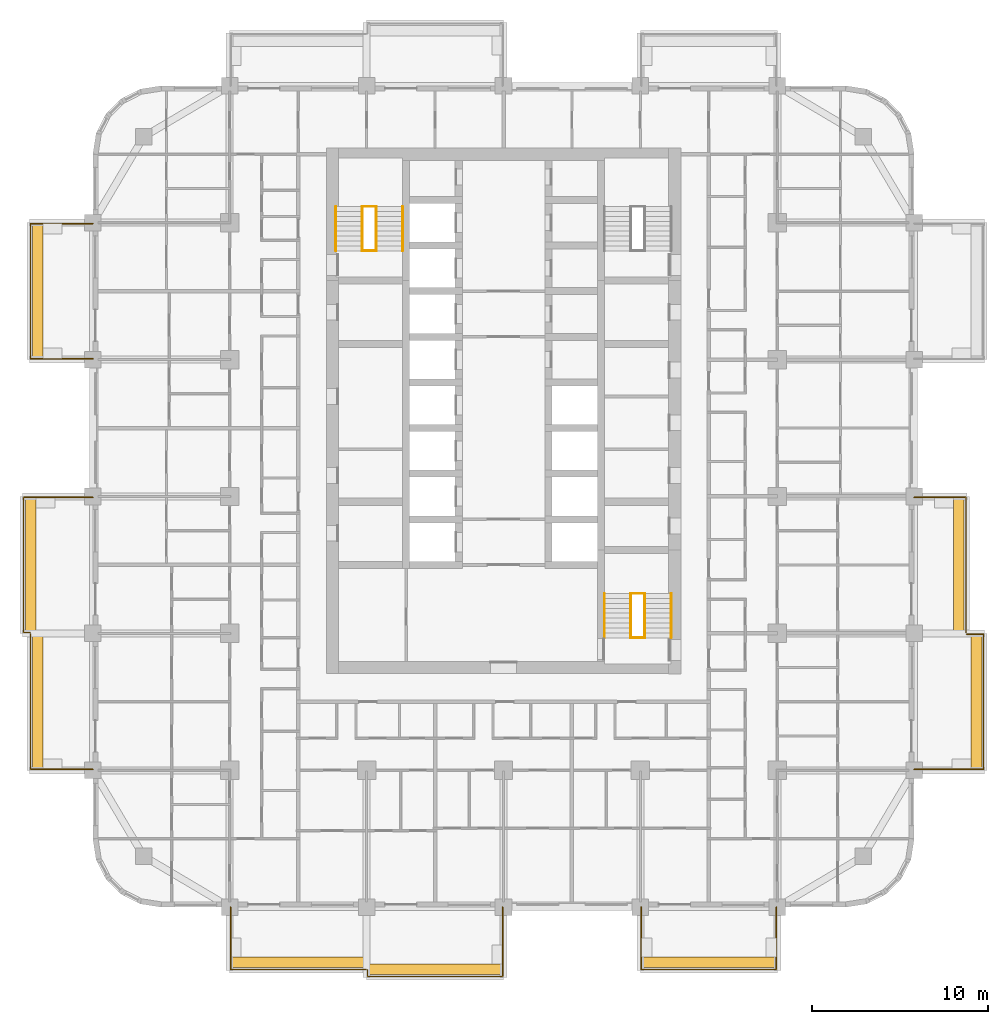
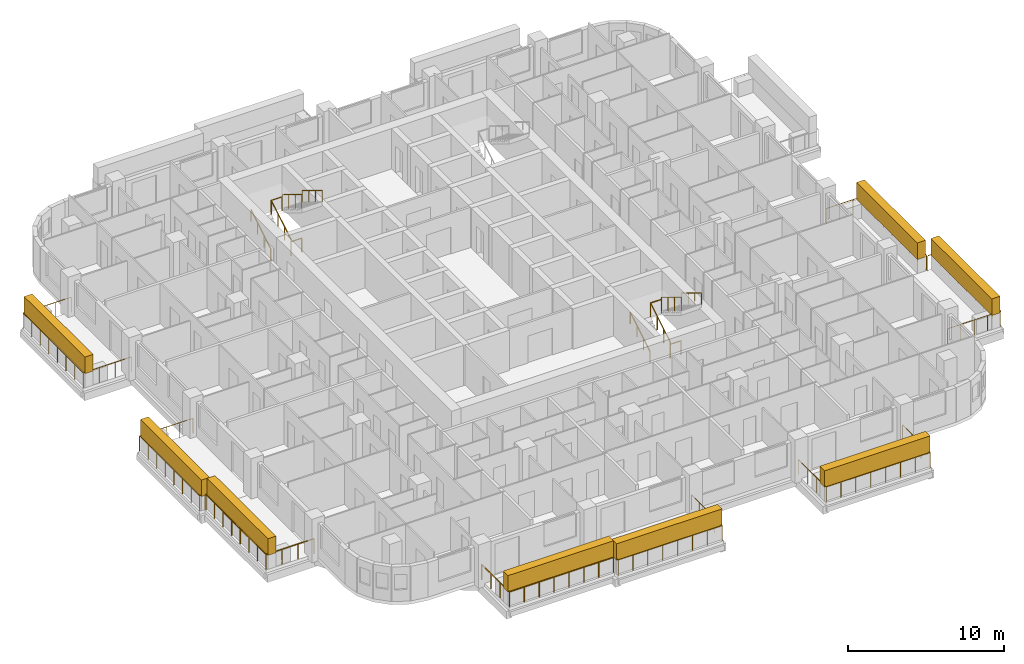
# One storey, part 17 of 18: 20 railings, 8 coverings, 2 elements without a shape of their own.
"""IFC4 building model written with IfcOpenShell, lengths in metres."""

from ifc_helpers import new_model, si_unit, direction, frame, origin, origin_2d, place, context, subcontext, project, spatial, rectangle, circle, extrude, material, layer, layer_set, type_object, element, aggregate, save


model = new_model("IFC4")

# Units and contexts
model_context = context("Model", 3, precision=1e-05, world=origin(), true_north=direction((0.0, 1.0)))
body_context = subcontext(model_context, "Body", "Model", "MODEL_VIEW")
ifc_project = project(units=[si_unit("LENGTHUNIT", "METRE"), si_unit("AREAUNIT", "SQUARE_METRE"), si_unit("VOLUMEUNIT", "CUBIC_METRE"), si_unit("PLANEANGLEUNIT", "RADIAN"), si_unit("MASSUNIT", "GRAM", prefix="KILO")], contexts=[model_context])

# Site, building, storey
site_placement = place(None, origin())
site = spatial("IfcSite", under=ifc_project, at=site_placement, CompositionType="ELEMENT")
building_placement = place(site_placement, origin())
building = spatial("IfcBuilding", under=site, at=building_placement, Name="Ludao Terraces", CompositionType="ELEMENT")
storey_placement = place(building_placement, frame((0.0, 0.0, 64.800048828125)))
storey = spatial("IfcBuildingStorey", under=building, at=storey_placement, Name="L17", CompositionType="ELEMENT", Elevation=64.800048828125)

# Railings
ifc_material_1 = material(Name="Stainless steel 304", Category="steel")
railing_type_1 = type_object("IfcRailingType", Name="ENV Balcony glass guard 1200", PredefinedType="GUARDRAIL", material=ifc_material_1)
railing_1_placement = place(storey_placement, frame((69.449951171875, 41.60009765625, 0.0)))
element("IfcRailing", 1, at=railing_1_placement, inside=storey, type_object=railing_type_1, Name="Balcony guard L17 S1", PredefinedType="GUARDRAIL", context=body_context, shape_type="SweptSolid", body=[
    extrude(circle(Radius=0.02392578125, at=origin_2d()), frame((0.0, 0.0, 1.17578125), z_axis=(0.0, -1.0, 0.0), x_axis=(1.0, 0.0, 0.0)), (0.0, 0.0, 1.0), 3.550048828125),
    extrude(circle(Radius=0.02392578125, at=origin_2d()), frame((0.0, -3.550048828125, 1.17578125), z_axis=(1.0, 0.0, 0.0), x_axis=(0.0, 1.0, 0.0)), (0.0, 0.0, 1.0), 7.699951171875),
    extrude(circle(Radius=0.02099609375, at=origin_2d()), origin(), (0.0, 0.0, 1.0), 1.15185546875),
    extrude(circle(Radius=0.02099609375, at=origin_2d()), frame((0.0, -1.183349609375, 0.0)), (0.0, 0.0, 1.0), 1.15185546875),
    extrude(circle(Radius=0.02099609375, at=origin_2d()), frame((0.0, -2.36669921875, 0.0)), (0.0, 0.0, 1.0), 1.15185546875),
    extrude(circle(Radius=0.02099609375, at=origin_2d()), frame((0.0, -3.550048828125, 0.0)), (0.0, 0.0, 1.0), 1.15185546875),
    extrude(circle(Radius=0.02099609375, at=origin_2d()), frame((1.10009765625, -3.550048828125, 0.0)), (0.0, 0.0, 1.0), 1.15185546875),
    extrude(circle(Radius=0.02099609375, at=origin_2d()), frame((2.199951171875, -3.550048828125, 0.0)), (0.0, 0.0, 1.0), 1.15185546875),
    extrude(circle(Radius=0.02099609375, at=origin_2d()), frame((3.300048828125, -3.550048828125, 0.0)), (0.0, 0.0, 1.0), 1.15185546875),
    extrude(circle(Radius=0.02099609375, at=origin_2d()), frame((4.39990234375, -3.550048828125, 0.0)), (0.0, 0.0, 1.0), 1.15185546875),
    extrude(circle(Radius=0.02099609375, at=origin_2d()), frame((5.5, -3.550048828125, 0.0)), (0.0, 0.0, 1.0), 1.15185546875),
    extrude(circle(Radius=0.02099609375, at=origin_2d()), frame((6.599853515625, -3.550048828125, 0.0)), (0.0, 0.0, 1.0), 1.15185546875),
    extrude(circle(Radius=0.02099609375, at=origin_2d()), frame((7.699951171875, -3.550048828125, 0.0)), (0.0, 0.0, 1.0), 1.15185546875),
])
railing_2_placement = place(storey_placement, frame((77.25, 38.0, 0.0)))
element("IfcRailing", 2, at=railing_2_placement, inside=storey, type_object=railing_type_1, Name="Balcony guard L17 S2", PredefinedType="GUARDRAIL", context=body_context, shape_type="SweptSolid", body=[
    extrude(circle(Radius=0.02392578125, at=origin_2d()), frame((0.0, 0.0, 1.17578125), z_axis=(0.0, -1.0, 0.0), x_axis=(1.0, 0.0, 0.0)), (0.0, 0.0, 1.0), 0.35009765625),
    extrude(circle(Radius=0.02392578125, at=origin_2d()), frame((0.0, -0.35009765625, 1.17578125), z_axis=(1.0, 0.0, 0.0), x_axis=(0.0, 1.0, 0.0)), (0.0, 0.0, 1.0), 7.699951171875),
    extrude(circle(Radius=0.02392578125, at=origin_2d()), frame((7.699951171875, -0.35009765625, 1.17578125), z_axis=(0.0, 1.0, 0.0), x_axis=(-1.0, 0.0, 0.0)), (0.0, 0.0, 1.0), 3.9501953125),
    extrude(circle(Radius=0.02099609375, at=origin_2d()), origin(), (0.0, 0.0, 1.0), 1.15185546875),
    extrude(circle(Radius=0.02099609375, at=origin_2d()), frame((0.0, -0.35009765625, 0.0)), (0.0, 0.0, 1.0), 1.15185546875),
    extrude(circle(Radius=0.02099609375, at=origin_2d()), frame((1.10009765625, -0.35009765625, 0.0)), (0.0, 0.0, 1.0), 1.15185546875),
    extrude(circle(Radius=0.02099609375, at=origin_2d()), frame((2.199951171875, -0.35009765625, 0.0)), (0.0, 0.0, 1.0), 1.15185546875),
    extrude(circle(Radius=0.02099609375, at=origin_2d()), frame((3.300048828125, -0.35009765625, 0.0)), (0.0, 0.0, 1.0), 1.15185546875),
    extrude(circle(Radius=0.02099609375, at=origin_2d()), frame((4.39990234375, -0.35009765625, 0.0)), (0.0, 0.0, 1.0), 1.15185546875),
    extrude(circle(Radius=0.02099609375, at=origin_2d()), frame((5.5, -0.35009765625, 0.0)), (0.0, 0.0, 1.0), 1.15185546875),
    extrude(circle(Radius=0.02099609375, at=origin_2d()), frame((6.599853515625, -0.35009765625, 0.0)), (0.0, 0.0, 1.0), 1.15185546875),
    extrude(circle(Radius=0.02099609375, at=origin_2d()), frame((7.699951171875, -0.35009765625, 0.0)), (0.0, 0.0, 1.0), 1.15185546875),
    extrude(circle(Radius=0.02099609375, at=origin_2d()), frame((7.699951171875, 0.637451171875, 0.0)), (0.0, 0.0, 1.0), 1.15185546875),
    extrude(circle(Radius=0.02099609375, at=origin_2d()), frame((7.699951171875, 1.625, 0.0)), (0.0, 0.0, 1.0), 1.15185546875),
    extrude(circle(Radius=0.02099609375, at=origin_2d()), frame((7.699951171875, 2.612548828125, 0.0)), (0.0, 0.0, 1.0), 1.15185546875),
    extrude(circle(Radius=0.02099609375, at=origin_2d()), frame((7.699951171875, 3.60009765625, 0.0)), (0.0, 0.0, 1.0), 1.15185546875),
])
railing_3_placement = place(storey_placement, frame((92.85009765625, 41.60009765625, 0.0)))
element("IfcRailing", 3, at=railing_3_placement, inside=storey, type_object=railing_type_1, Name="Balcony guard L17 S4", PredefinedType="GUARDRAIL", context=body_context, shape_type="SweptSolid", body=[
    extrude(circle(Radius=0.02392578125, at=origin_2d()), frame((0.0, 0.0, 1.17578125), z_axis=(0.0, -1.0, 0.0), x_axis=(1.0, 0.0, 0.0)), (0.0, 0.0, 1.0), 3.550048828125),
    extrude(circle(Radius=0.02392578125, at=origin_2d()), frame((0.0, -3.550048828125, 1.17578125), z_axis=(1.0, 0.0, 0.0), x_axis=(0.0, 1.0, 0.0)), (0.0, 0.0, 1.0), 7.699951171875),
    extrude(circle(Radius=0.02392578125, at=origin_2d()), frame((7.699951171875, -3.550048828125, 1.17578125), z_axis=(0.0, 1.0, 0.0), x_axis=(-1.0, 0.0, 0.0)), (0.0, 0.0, 1.0), 3.550048828125),
    extrude(circle(Radius=0.02099609375, at=origin_2d()), origin(), (0.0, 0.0, 1.0), 1.15185546875),
    extrude(circle(Radius=0.02099609375, at=origin_2d()), frame((0.0, -1.183349609375, 0.0)), (0.0, 0.0, 1.0), 1.15185546875),
    extrude(circle(Radius=0.02099609375, at=origin_2d()), frame((0.0, -2.36669921875, 0.0)), (0.0, 0.0, 1.0), 1.15185546875),
    extrude(circle(Radius=0.02099609375, at=origin_2d()), frame((0.0, -3.550048828125, 0.0)), (0.0, 0.0, 1.0), 1.15185546875),
    extrude(circle(Radius=0.02099609375, at=origin_2d()), frame((1.10009765625, -3.550048828125, 0.0)), (0.0, 0.0, 1.0), 1.15185546875),
    extrude(circle(Radius=0.02099609375, at=origin_2d()), frame((2.199951171875, -3.550048828125, 0.0)), (0.0, 0.0, 1.0), 1.15185546875),
    extrude(circle(Radius=0.02099609375, at=origin_2d()), frame((3.300048828125, -3.550048828125, 0.0)), (0.0, 0.0, 1.0), 1.15185546875),
    extrude(circle(Radius=0.02099609375, at=origin_2d()), frame((4.39990234375, -3.550048828125, 0.0)), (0.0, 0.0, 1.0), 1.15185546875),
    extrude(circle(Radius=0.02099609375, at=origin_2d()), frame((5.5, -3.550048828125, 0.0)), (0.0, 0.0, 1.0), 1.15185546875),
    extrude(circle(Radius=0.02099609375, at=origin_2d()), frame((6.599853515625, -3.550048828125, 0.0)), (0.0, 0.0, 1.0), 1.15185546875),
    extrude(circle(Radius=0.02099609375, at=origin_2d()), frame((7.699951171875, -3.550048828125, 0.0)), (0.0, 0.0, 1.0), 1.15185546875),
    extrude(circle(Radius=0.02099609375, at=origin_2d()), frame((7.699951171875, -2.36669921875, 0.0)), (0.0, 0.0, 1.0), 1.15185546875),
    extrude(circle(Radius=0.02099609375, at=origin_2d()), frame((7.699951171875, -1.183349609375, 0.0)), (0.0, 0.0, 1.0), 1.15185546875),
    extrude(circle(Radius=0.02099609375, at=origin_2d()), frame((7.699951171875, 0.0, 0.0)), (0.0, 0.0, 1.0), 1.15185546875),
])
railing_4_placement = place(storey_placement, frame((108.39990234375, 49.449951171875, 0.0)))
element("IfcRailing", 4, at=railing_4_placement, inside=storey, type_object=railing_type_1, Name="Balcony guard L17 E1", PredefinedType="GUARDRAIL", context=body_context, shape_type="SweptSolid", body=[
    extrude(circle(Radius=0.02392578125, at=origin_2d()), frame((0.0, 0.0, 1.17578125), z_axis=(1.0, 0.0, 0.0), x_axis=(0.0, 1.0, 0.0)), (0.0, 0.0, 1.0), 3.9501953125),
    extrude(circle(Radius=0.02392578125, at=origin_2d()), frame((3.9501953125, 0.0, 1.17578125), z_axis=(0.0, 1.0, 0.0), x_axis=(-1.0, 0.0, 0.0)), (0.0, 0.0, 1.0), 7.699951171875),
    extrude(circle(Radius=0.02392578125, at=origin_2d()), frame((3.9501953125, 7.699951171875, 1.17578125), z_axis=(-1.0, 0.0, 0.0), x_axis=(0.0, -1.0, 0.0)), (0.0, 0.0, 1.0), 0.9501953125),
    extrude(circle(Radius=0.02099609375, at=origin_2d()), origin(), (0.0, 0.0, 1.0), 1.15185546875),
    extrude(circle(Radius=0.02099609375, at=origin_2d()), frame((0.987548828125, 0.0, 0.0)), (0.0, 0.0, 1.0), 1.15185546875),
    extrude(circle(Radius=0.02099609375, at=origin_2d()), frame((1.97509765625, 0.0, 0.0)), (0.0, 0.0, 1.0), 1.15185546875),
    extrude(circle(Radius=0.02099609375, at=origin_2d()), frame((2.962646484375, 0.0, 0.0)), (0.0, 0.0, 1.0), 1.15185546875),
    extrude(circle(Radius=0.02099609375, at=origin_2d()), frame((3.9501953125, 0.0, 0.0)), (0.0, 0.0, 1.0), 1.15185546875),
    extrude(circle(Radius=0.02099609375, at=origin_2d()), frame((3.9501953125, 1.10009765625, 0.0)), (0.0, 0.0, 1.0), 1.15185546875),
    extrude(circle(Radius=0.02099609375, at=origin_2d()), frame((3.9501953125, 2.199951171875, 0.0)), (0.0, 0.0, 1.0), 1.15185546875),
    extrude(circle(Radius=0.02099609375, at=origin_2d()), frame((3.9501953125, 3.300048828125, 0.0)), (0.0, 0.0, 1.0), 1.15185546875),
    extrude(circle(Radius=0.02099609375, at=origin_2d()), frame((3.9501953125, 4.39990234375, 0.0)), (0.0, 0.0, 1.0), 1.15185546875),
    extrude(circle(Radius=0.02099609375, at=origin_2d()), frame((3.9501953125, 5.5, 0.0)), (0.0, 0.0, 1.0), 1.15185546875),
    extrude(circle(Radius=0.02099609375, at=origin_2d()), frame((3.9501953125, 6.599853515625, 0.0)), (0.0, 0.0, 1.0), 1.15185546875),
    extrude(circle(Radius=0.02099609375, at=origin_2d()), frame((3.9501953125, 7.699951171875, 0.0)), (0.0, 0.0, 1.0), 1.15185546875),
    extrude(circle(Radius=0.02099609375, at=origin_2d()), frame((3.0, 7.699951171875, 0.0)), (0.0, 0.0, 1.0), 1.15185546875),
])
railing_5_placement = place(storey_placement, frame((111.35009765625, 57.25, 0.0)))
element("IfcRailing", 5, at=railing_5_placement, inside=storey, type_object=railing_type_1, Name="Balcony guard L17 E2", PredefinedType="GUARDRAIL", context=body_context, shape_type="SweptSolid", body=[
    extrude(circle(Radius=0.02392578125, at=origin_2d()), frame((0.0, 0.0, 1.17578125), z_axis=(0.0, 1.0, 0.0), x_axis=(-1.0, 0.0, 0.0)), (0.0, 0.0, 1.0), 7.699951171875),
    extrude(circle(Radius=0.02392578125, at=origin_2d()), frame((0.0, 7.699951171875, 1.17578125), z_axis=(-1.0, 0.0, 0.0), x_axis=(0.0, -1.0, 0.0)), (0.0, 0.0, 1.0), 2.9501953125),
    extrude(circle(Radius=0.02099609375, at=origin_2d()), origin(), (0.0, 0.0, 1.0), 1.15185546875),
    extrude(circle(Radius=0.02099609375, at=origin_2d()), frame((0.0, 1.10009765625, 0.0)), (0.0, 0.0, 1.0), 1.15185546875),
    extrude(circle(Radius=0.02099609375, at=origin_2d()), frame((0.0, 2.199951171875, 0.0)), (0.0, 0.0, 1.0), 1.15185546875),
    extrude(circle(Radius=0.02099609375, at=origin_2d()), frame((0.0, 3.300048828125, 0.0)), (0.0, 0.0, 1.0), 1.15185546875),
    extrude(circle(Radius=0.02099609375, at=origin_2d()), frame((0.0, 4.39990234375, 0.0)), (0.0, 0.0, 1.0), 1.15185546875),
    extrude(circle(Radius=0.02099609375, at=origin_2d()), frame((0.0, 5.5, 0.0)), (0.0, 0.0, 1.0), 1.15185546875),
    extrude(circle(Radius=0.02099609375, at=origin_2d()), frame((0.0, 6.599853515625, 0.0)), (0.0, 0.0, 1.0), 1.15185546875),
    extrude(circle(Radius=0.02099609375, at=origin_2d()), frame((0.0, 7.699951171875, 0.0)), (0.0, 0.0, 1.0), 1.15185546875),
    extrude(circle(Radius=0.02099609375, at=origin_2d()), frame((-0.9833984375, 7.699951171875, 0.0)), (0.0, 0.0, 1.0), 1.15185546875),
    extrude(circle(Radius=0.02099609375, at=origin_2d()), frame((-1.966796875, 7.699951171875, 0.0)), (0.0, 0.0, 1.0), 1.15185546875),
    extrude(circle(Radius=0.02099609375, at=origin_2d()), frame((-2.9501953125, 7.699951171875, 0.0)), (0.0, 0.0, 1.0), 1.15185546875),
])
railing_6_placement = place(storey_placement, frame((61.60009765625, 49.449951171875, 0.0)))
element("IfcRailing", 6, at=railing_6_placement, inside=storey, type_object=railing_type_1, Name="Balcony guard L17 W1", PredefinedType="GUARDRAIL", context=body_context, shape_type="SweptSolid", body=[
    extrude(circle(Radius=0.02392578125, at=origin_2d()), frame((0.0, 0.0, 1.17578125), z_axis=(-1.0, 0.0, 0.0), x_axis=(0.0, -1.0, 0.0)), (0.0, 0.0, 1.0), 3.550048828125),
    extrude(circle(Radius=0.02392578125, at=origin_2d()), frame((-3.550048828125, 0.0, 1.17578125), z_axis=(0.0, 1.0, 0.0), x_axis=(-1.0, 0.0, 0.0)), (0.0, 0.0, 1.0), 7.699951171875),
    extrude(circle(Radius=0.02099609375, at=origin_2d()), origin(), (0.0, 0.0, 1.0), 1.15185546875),
    extrude(circle(Radius=0.02099609375, at=origin_2d()), frame((-1.183349609375, 0.0, 0.0)), (0.0, 0.0, 1.0), 1.15185546875),
    extrude(circle(Radius=0.02099609375, at=origin_2d()), frame((-2.36669921875, 0.0, 0.0)), (0.0, 0.0, 1.0), 1.15185546875),
    extrude(circle(Radius=0.02099609375, at=origin_2d()), frame((-3.550048828125, 0.0, 0.0)), (0.0, 0.0, 1.0), 1.15185546875),
    extrude(circle(Radius=0.02099609375, at=origin_2d()), frame((-3.550048828125, 1.10009765625, 0.0)), (0.0, 0.0, 1.0), 1.15185546875),
    extrude(circle(Radius=0.02099609375, at=origin_2d()), frame((-3.550048828125, 2.199951171875, 0.0)), (0.0, 0.0, 1.0), 1.15185546875),
    extrude(circle(Radius=0.02099609375, at=origin_2d()), frame((-3.550048828125, 3.300048828125, 0.0)), (0.0, 0.0, 1.0), 1.15185546875),
    extrude(circle(Radius=0.02099609375, at=origin_2d()), frame((-3.550048828125, 4.39990234375, 0.0)), (0.0, 0.0, 1.0), 1.15185546875),
    extrude(circle(Radius=0.02099609375, at=origin_2d()), frame((-3.550048828125, 5.5, 0.0)), (0.0, 0.0, 1.0), 1.15185546875),
    extrude(circle(Radius=0.02099609375, at=origin_2d()), frame((-3.550048828125, 6.599853515625, 0.0)), (0.0, 0.0, 1.0), 1.15185546875),
    extrude(circle(Radius=0.02099609375, at=origin_2d()), frame((-3.550048828125, 7.699951171875, 0.0)), (0.0, 0.0, 1.0), 1.15185546875),
])
railing_7_placement = place(storey_placement, frame((58.0, 57.25, 0.0)))
element("IfcRailing", 7, at=railing_7_placement, inside=storey, type_object=railing_type_1, Name="Balcony guard L17 W2", PredefinedType="GUARDRAIL", context=body_context, shape_type="SweptSolid", body=[
    extrude(circle(Radius=0.02392578125, at=origin_2d()), frame((0.0, 0.0, 1.17578125), z_axis=(-1.0, 0.0, 0.0), x_axis=(0.0, -1.0, 0.0)), (0.0, 0.0, 1.0), 0.35009765625),
    extrude(circle(Radius=0.02392578125, at=origin_2d()), frame((-0.35009765625, 0.0, 1.17578125), z_axis=(0.0, 1.0, 0.0), x_axis=(-1.0, 0.0, 0.0)), (0.0, 0.0, 1.0), 7.699951171875),
    extrude(circle(Radius=0.02392578125, at=origin_2d()), frame((-0.35009765625, 7.699951171875, 1.17578125), z_axis=(1.0, 0.0, 0.0), x_axis=(0.0, 1.0, 0.0)), (0.0, 0.0, 1.0), 3.9501953125),
    extrude(circle(Radius=0.02099609375, at=origin_2d()), origin(), (0.0, 0.0, 1.0), 1.15185546875),
    extrude(circle(Radius=0.02099609375, at=origin_2d()), frame((-0.35009765625, 0.0, 0.0)), (0.0, 0.0, 1.0), 1.15185546875),
    extrude(circle(Radius=0.02099609375, at=origin_2d()), frame((-0.35009765625, 1.10009765625, 0.0)), (0.0, 0.0, 1.0), 1.15185546875),
    extrude(circle(Radius=0.02099609375, at=origin_2d()), frame((-0.35009765625, 2.199951171875, 0.0)), (0.0, 0.0, 1.0), 1.15185546875),
    extrude(circle(Radius=0.02099609375, at=origin_2d()), frame((-0.35009765625, 3.300048828125, 0.0)), (0.0, 0.0, 1.0), 1.15185546875),
    extrude(circle(Radius=0.02099609375, at=origin_2d()), frame((-0.35009765625, 4.39990234375, 0.0)), (0.0, 0.0, 1.0), 1.15185546875),
    extrude(circle(Radius=0.02099609375, at=origin_2d()), frame((-0.35009765625, 5.5, 0.0)), (0.0, 0.0, 1.0), 1.15185546875),
    extrude(circle(Radius=0.02099609375, at=origin_2d()), frame((-0.35009765625, 6.599853515625, 0.0)), (0.0, 0.0, 1.0), 1.15185546875),
    extrude(circle(Radius=0.02099609375, at=origin_2d()), frame((-0.35009765625, 7.699951171875, 0.0)), (0.0, 0.0, 1.0), 1.15185546875),
    extrude(circle(Radius=0.02099609375, at=origin_2d()), frame((0.637451171875, 7.699951171875, 0.0)), (0.0, 0.0, 1.0), 1.15185546875),
    extrude(circle(Radius=0.02099609375, at=origin_2d()), frame((1.625, 7.699951171875, 0.0)), (0.0, 0.0, 1.0), 1.15185546875),
    extrude(circle(Radius=0.02099609375, at=origin_2d()), frame((2.612548828125, 7.699951171875, 0.0)), (0.0, 0.0, 1.0), 1.15185546875),
    extrude(circle(Radius=0.02099609375, at=origin_2d()), frame((3.60009765625, 7.699951171875, 0.0)), (0.0, 0.0, 1.0), 1.15185546875),
])
railing_8_placement = place(storey_placement, frame((61.60009765625, 72.85009765625, 0.0)))
element("IfcRailing", 8, at=railing_8_placement, inside=storey, type_object=railing_type_1, Name="Balcony guard L17 W4", PredefinedType="GUARDRAIL", context=body_context, shape_type="SweptSolid", body=[
    extrude(circle(Radius=0.02392578125, at=origin_2d()), frame((0.0, 0.0, 1.17578125), z_axis=(-1.0, 0.0, 0.0), x_axis=(0.0, -1.0, 0.0)), (0.0, 0.0, 1.0), 3.550048828125),
    extrude(circle(Radius=0.02392578125, at=origin_2d()), frame((-3.550048828125, 0.0, 1.17578125), z_axis=(0.0, 1.0, 0.0), x_axis=(-1.0, 0.0, 0.0)), (0.0, 0.0, 1.0), 7.699951171875),
    extrude(circle(Radius=0.02392578125, at=origin_2d()), frame((-3.550048828125, 7.699951171875, 1.17578125), z_axis=(1.0, 0.0, 0.0), x_axis=(0.0, 1.0, 0.0)), (0.0, 0.0, 1.0), 3.550048828125),
    extrude(circle(Radius=0.02099609375, at=origin_2d()), origin(), (0.0, 0.0, 1.0), 1.15185546875),
    extrude(circle(Radius=0.02099609375, at=origin_2d()), frame((-1.183349609375, 0.0, 0.0)), (0.0, 0.0, 1.0), 1.15185546875),
    extrude(circle(Radius=0.02099609375, at=origin_2d()), frame((-2.36669921875, 0.0, 0.0)), (0.0, 0.0, 1.0), 1.15185546875),
    extrude(circle(Radius=0.02099609375, at=origin_2d()), frame((-3.550048828125, 0.0, 0.0)), (0.0, 0.0, 1.0), 1.15185546875),
    extrude(circle(Radius=0.02099609375, at=origin_2d()), frame((-3.550048828125, 1.10009765625, 0.0)), (0.0, 0.0, 1.0), 1.15185546875),
    extrude(circle(Radius=0.02099609375, at=origin_2d()), frame((-3.550048828125, 2.199951171875, 0.0)), (0.0, 0.0, 1.0), 1.15185546875),
    extrude(circle(Radius=0.02099609375, at=origin_2d()), frame((-3.550048828125, 3.300048828125, 0.0)), (0.0, 0.0, 1.0), 1.15185546875),
    extrude(circle(Radius=0.02099609375, at=origin_2d()), frame((-3.550048828125, 4.39990234375, 0.0)), (0.0, 0.0, 1.0), 1.15185546875),
    extrude(circle(Radius=0.02099609375, at=origin_2d()), frame((-3.550048828125, 5.5, 0.0)), (0.0, 0.0, 1.0), 1.15185546875),
    extrude(circle(Radius=0.02099609375, at=origin_2d()), frame((-3.550048828125, 6.599853515625, 0.0)), (0.0, 0.0, 1.0), 1.15185546875),
    extrude(circle(Radius=0.02099609375, at=origin_2d()), frame((-3.550048828125, 7.699951171875, 0.0)), (0.0, 0.0, 1.0), 1.15185546875),
    extrude(circle(Radius=0.02099609375, at=origin_2d()), frame((-2.36669921875, 7.699951171875, 0.0)), (0.0, 0.0, 1.0), 1.15185546875),
    extrude(circle(Radius=0.02099609375, at=origin_2d()), frame((-1.183349609375, 7.699951171875, 0.0)), (0.0, 0.0, 1.0), 1.15185546875),
    extrude(circle(Radius=0.02099609375, at=origin_2d()), frame((0.0, 7.699951171875, 0.0)), (0.0, 0.0, 1.0), 1.15185546875),
])

# Coverings
ifc_material_2 = material(Name="Planting")
ifc_layer = layer(ifc_material_2, 0.60009765625)
ifc_layer_set = layer_set([ifc_layer], Name="ENV Planting hedge 600x1300")
covering_type = type_object("IfcCoveringType", Name="ENV Planting hedge 600x1300", PredefinedType="USERDEFINED", material=ifc_layer_set)
for number, where, z_axis, x_axis, name in (
    (9, (73.300048828125, 38.449951171875, 1.10009765625), (0.0, 0.0, 1.0), (1.0, 0.0, 0.0), "Planting hedge L17-S1"),
    (10, (81.10009765625, 38.050048828125, 1.10009765625), (0.0, 0.0, 1.0), (1.0, 0.0, 0.0), "Planting hedge L17-S2"),
    (11, (96.699951171875, 38.449951171875, 1.10009765625), (0.0, 0.0, 1.0), (1.0, 0.0, 0.0), "Planting hedge L17-S4"),
):
    element("IfcCovering", number, at=place(storey_placement, frame(where, z_axis=z_axis, x_axis=x_axis)), inside=storey, type_object=covering_type, Name=name, ObjectType="PLANTING", PredefinedType="USERDEFINED", context=body_context, shape_type="SweptSolid", body=[
        extrude(rectangle(XDim=7.800048828125, YDim=0.60009765625, at=origin_2d()), origin(), (0.0, 0.0, 1.0), 1.300048828125),
    ])
for number, where, z_axis, x_axis, name in (
    (12, (111.949951171875, 53.300048828125, 1.10009765625), (0.0, 0.0, 1.0), (1.0, 0.0, 0.0), "Planting hedge L17-E1"),
    (13, (110.949951171875, 61.10009765625, 1.10009765625), (0.0, 0.0, 1.0), (1.0, 0.0, 0.0), "Planting hedge L17-E2"),
    (14, (58.449951171875, 53.300048828125, 1.10009765625), (0.0, 0.0, 1.0), (1.0, 0.0, 0.0), "Planting hedge L17-W1"),
    (15, (58.050048828125, 61.10009765625, 1.10009765625), (0.0, 0.0, 1.0), (1.0, 0.0, 0.0), "Planting hedge L17-W2"),
    (16, (58.449951171875, 76.699951171875, 1.10009765625), (0.0, 0.0, 1.0), (1.0, 0.0, 0.0), "Planting hedge L17-W4"),
):
    element("IfcCovering", number, at=place(storey_placement, frame(where, z_axis=z_axis, x_axis=x_axis)), inside=storey, type_object=covering_type, Name=name, ObjectType="PLANTING", PredefinedType="USERDEFINED", context=body_context, shape_type="SweptSolid", body=[
        extrude(rectangle(XDim=0.60009765625, YDim=7.800048828125, at=origin_2d()), origin(), (0.0, 0.0, 1.0), 1.300048828125),
    ])

# Stair, railings
ifc_material_3 = material(Name="Concrete C40", Category="concrete")
stair_type = type_object("IfcStairType", Name="INT Stair", PredefinedType="HALF_TURN_STAIR", material=ifc_material_3)
stair_1_placement = place(storey_placement, origin())
stair_1 = element("IfcStair", 17, at=stair_1_placement, inside=storey, type_object=stair_type, Name="EXIT STAIR 1", PredefinedType="HALF_TURN_STAIR")
railing_type_2 = type_object("IfcRailingType", Name="INT Stair guard 1100", PredefinedType="GUARDRAIL", material=ifc_material_1)
railing_9_placement = place(storey_placement, frame((76.949951171875, 79.0, 0.169921875)))
railing_9 = element("IfcRailing", 18, at=railing_9_placement, type_object=railing_type_2, Name="ST-L17-S1-R1G", PredefinedType="GUARDRAIL", context=body_context, shape_type="SweptSolid", body=[
    extrude(circle(Radius=0.02392578125, at=origin_2d()), frame((0.0, 0.0, 1.076171875), z_axis=(0.0, 0.85478489116, 0.518982456201), x_axis=(-1.0, 0.0, 0.0)), (0.0, 0.0, 1.0), 2.9482421875),
    extrude(circle(Radius=0.02099609375, at=origin_2d()), origin(), (0.0, 0.0, 1.0), 1.052001953125),
    extrude(circle(Radius=0.02099609375, at=origin_2d()), frame((0.0, 0.840087890625, 0.510009765625)), (0.0, 0.0, 1.0), 1.052001953125),
    extrude(circle(Radius=0.02099609375, at=origin_2d()), frame((0.0, 1.679931640625, 1.02001953125)), (0.0, 0.0, 1.0), 1.052001953125),
    extrude(circle(Radius=0.02099609375, at=origin_2d()), frame((0.0, 2.52001953125, 1.530029296875)), (0.0, 0.0, 1.0), 1.052001953125),
])
railing_10_placement = place(storey_placement, frame((77.75, 81.52001953125, 1.869873046875)))
railing_10 = element("IfcRailing", 19, at=railing_10_placement, type_object=railing_type_2, Name="ST-L17-S1-R2G", PredefinedType="GUARDRAIL", context=body_context, shape_type="SweptSolid", body=[
    extrude(circle(Radius=0.02392578125, at=origin_2d()), frame((0.0, 0.0, 1.076171875), z_axis=(0.0, -0.85478489116, 0.518982456201), x_axis=(1.0, 0.0, 0.0)), (0.0, 0.0, 1.0), 2.9482421875),
    extrude(circle(Radius=0.02099609375, at=origin_2d()), origin(), (0.0, 0.0, 1.0), 1.052001953125),
    extrude(circle(Radius=0.02099609375, at=origin_2d()), frame((0.0, -0.840087890625, 0.510009765625)), (0.0, 0.0, 1.0), 1.052001953125),
    extrude(circle(Radius=0.02099609375, at=origin_2d()), frame((0.0, -1.679931640625, 1.02001953125)), (0.0, 0.0, 1.0), 1.052001953125),
    extrude(circle(Radius=0.02099609375, at=origin_2d()), frame((0.0, -2.52001953125, 1.530029296875)), (0.0, 0.0, 1.0), 1.052001953125),
])
railing_11_placement = place(storey_placement, frame((76.949951171875, 81.52001953125, 1.699951171875)))
railing_11 = element("IfcRailing", 20, at=railing_11_placement, type_object=railing_type_2, Name="ST-L17-S1-E1G", PredefinedType="GUARDRAIL", context=body_context, shape_type="SweptSolid", body=[
    extrude(circle(Radius=0.02392578125, at=origin_2d()), frame((0.0, 0.0, 1.076171875), z_axis=(1.0, 0.0, 0.0), x_axis=(0.0, 1.0, 0.0)), (0.0, 0.0, 1.0), 0.800048828125),
    extrude(circle(Radius=0.02099609375, at=origin_2d()), origin(), (0.0, 0.0, 1.0), 1.052001953125),
    extrude(circle(Radius=0.02099609375, at=origin_2d()), frame((0.800048828125, 0.0, 0.0)), (0.0, 0.0, 1.0), 1.052001953125),
])
railing_12_placement = place(storey_placement, frame((76.949951171875, 79.0, 0.0)))
railing_12 = element("IfcRailing", 21, at=railing_12_placement, type_object=railing_type_2, Name="ST-L17-S1-E2G", PredefinedType="GUARDRAIL", context=body_context, shape_type="SweptSolid", body=[
    extrude(circle(Radius=0.02392578125, at=origin_2d()), frame((0.0, 0.0, 1.076171875), z_axis=(1.0, 0.0, 0.0), x_axis=(0.0, 1.0, 0.0)), (0.0, 0.0, 1.0), 0.800048828125),
    extrude(circle(Radius=0.02099609375, at=origin_2d()), origin(), (0.0, 0.0, 1.0), 1.052001953125),
    extrude(circle(Radius=0.02099609375, at=origin_2d()), frame((0.800048828125, 0.0, 0.0)), (0.0, 0.0, 1.0), 1.052001953125),
])

stair_2_placement = place(storey_placement, origin())
stair_2 = element("IfcStair", 22, at=stair_2_placement, inside=storey, type_object=stair_type, Name="EXIT STAIR 3", PredefinedType="HALF_TURN_STAIR")
railing_13_placement = place(storey_placement, frame((92.25, 56.949951171875, 0.169921875)))
railing_13 = element("IfcRailing", 23, at=railing_13_placement, type_object=railing_type_2, Name="ST-L17-S3-R1G", PredefinedType="GUARDRAIL", context=body_context, shape_type="SweptSolid", body=[
    extrude(circle(Radius=0.02392578125, at=origin_2d()), frame((0.0, 0.0, 1.076171875), z_axis=(0.0, 0.85478489116, 0.518982456201), x_axis=(-1.0, 0.0, 0.0)), (0.0, 0.0, 1.0), 2.9482421875),
    extrude(circle(Radius=0.02099609375, at=origin_2d()), origin(), (0.0, 0.0, 1.0), 1.052001953125),
    extrude(circle(Radius=0.02099609375, at=origin_2d()), frame((0.0, 0.840087890625, 0.510009765625)), (0.0, 0.0, 1.0), 1.052001953125),
    extrude(circle(Radius=0.02099609375, at=origin_2d()), frame((0.0, 1.679931640625, 1.02001953125)), (0.0, 0.0, 1.0), 1.052001953125),
    extrude(circle(Radius=0.02099609375, at=origin_2d()), frame((0.0, 2.52001953125, 1.530029296875)), (0.0, 0.0, 1.0), 1.052001953125),
])
railing_14_placement = place(storey_placement, frame((93.050048828125, 59.469970703125, 1.869873046875)))
railing_14 = element("IfcRailing", 24, at=railing_14_placement, type_object=railing_type_2, Name="ST-L17-S3-R2G", PredefinedType="GUARDRAIL", context=body_context, shape_type="SweptSolid", body=[
    extrude(circle(Radius=0.02392578125, at=origin_2d()), frame((0.0, 0.0, 1.076171875), z_axis=(0.0, -0.85478489116, 0.518982456201), x_axis=(1.0, 0.0, 0.0)), (0.0, 0.0, 1.0), 2.9482421875),
    extrude(circle(Radius=0.02099609375, at=origin_2d()), origin(), (0.0, 0.0, 1.0), 1.052001953125),
    extrude(circle(Radius=0.02099609375, at=origin_2d()), frame((0.0, -0.840087890625, 0.510009765625)), (0.0, 0.0, 1.0), 1.052001953125),
    extrude(circle(Radius=0.02099609375, at=origin_2d()), frame((0.0, -1.679931640625, 1.02001953125)), (0.0, 0.0, 1.0), 1.052001953125),
    extrude(circle(Radius=0.02099609375, at=origin_2d()), frame((0.0, -2.52001953125, 1.530029296875)), (0.0, 0.0, 1.0), 1.052001953125),
])
railing_15_placement = place(storey_placement, frame((92.25, 59.469970703125, 1.699951171875)))
railing_15 = element("IfcRailing", 25, at=railing_15_placement, type_object=railing_type_2, Name="ST-L17-S3-E1G", PredefinedType="GUARDRAIL", context=body_context, shape_type="SweptSolid", body=[
    extrude(circle(Radius=0.02392578125, at=origin_2d()), frame((0.0, 0.0, 1.076171875), z_axis=(1.0, 0.0, 0.0), x_axis=(0.0, 1.0, 0.0)), (0.0, 0.0, 1.0), 0.800048828125),
    extrude(circle(Radius=0.02099609375, at=origin_2d()), origin(), (0.0, 0.0, 1.0), 1.052001953125),
    extrude(circle(Radius=0.02099609375, at=origin_2d()), frame((0.800048828125, 0.0, 0.0)), (0.0, 0.0, 1.0), 1.052001953125),
])
railing_16_placement = place(storey_placement, frame((92.25, 56.949951171875, 0.0)))
railing_16 = element("IfcRailing", 26, at=railing_16_placement, type_object=railing_type_2, Name="ST-L17-S3-E2G", PredefinedType="GUARDRAIL", context=body_context, shape_type="SweptSolid", body=[
    extrude(circle(Radius=0.02392578125, at=origin_2d()), frame((0.0, 0.0, 1.076171875), z_axis=(1.0, 0.0, 0.0), x_axis=(0.0, 1.0, 0.0)), (0.0, 0.0, 1.0), 0.800048828125),
    extrude(circle(Radius=0.02099609375, at=origin_2d()), origin(), (0.0, 0.0, 1.0), 1.052001953125),
    extrude(circle(Radius=0.02099609375, at=origin_2d()), frame((0.800048828125, 0.0, 0.0)), (0.0, 0.0, 1.0), 1.052001953125),
])

# Railing
railing_type_3 = type_object("IfcRailingType", Name="INT Stair handrail 900", PredefinedType="HANDRAIL", material=ifc_material_1)
railing_17_placement = place(storey_placement, frame((75.449951171875, 79.0, 0.169921875)))
railing_17 = element("IfcRailing", 27, at=railing_17_placement, type_object=railing_type_3, Name="ST-L17-S1-R1H", PredefinedType="HANDRAIL", context=body_context, shape_type="SweptSolid", body=[
    extrude(circle(Radius=0.02392578125, at=origin_2d()), frame((0.0, 0.0, 0.8759765625), z_axis=(0.0, 0.85478489116, 0.518982456201), x_axis=(-1.0, 0.0, 0.0)), (0.0, 0.0, 1.0), 2.9482421875),
    extrude(circle(Radius=0.02099609375, at=origin_2d()), origin(), (0.0, 0.0, 1.0), 0.851806640625),
    extrude(circle(Radius=0.02099609375, at=origin_2d()), frame((0.0, 0.840087890625, 0.510009765625)), (0.0, 0.0, 1.0), 0.851806640625),
    extrude(circle(Radius=0.02099609375, at=origin_2d()), frame((0.0, 1.679931640625, 1.02001953125)), (0.0, 0.0, 1.0), 0.851806640625),
    extrude(circle(Radius=0.02099609375, at=origin_2d()), frame((0.0, 2.52001953125, 1.530029296875)), (0.0, 0.0, 1.0), 0.851806640625),
])

railing_18_placement = place(storey_placement, frame((79.25, 81.52001953125, 1.869873046875)))
railing_18 = element("IfcRailing", 28, at=railing_18_placement, type_object=railing_type_3, Name="ST-L17-S1-R2H", PredefinedType="HANDRAIL", context=body_context, shape_type="SweptSolid", body=[
    extrude(circle(Radius=0.02392578125, at=origin_2d()), frame((0.0, 0.0, 0.8759765625), z_axis=(0.0, -0.85478489116, 0.518982456201), x_axis=(1.0, 0.0, 0.0)), (0.0, 0.0, 1.0), 2.9482421875),
    extrude(circle(Radius=0.02099609375, at=origin_2d()), origin(), (0.0, 0.0, 1.0), 0.851806640625),
    extrude(circle(Radius=0.02099609375, at=origin_2d()), frame((0.0, -0.840087890625, 0.510009765625)), (0.0, 0.0, 1.0), 0.851806640625),
    extrude(circle(Radius=0.02099609375, at=origin_2d()), frame((0.0, -1.679931640625, 1.02001953125)), (0.0, 0.0, 1.0), 0.851806640625),
    extrude(circle(Radius=0.02099609375, at=origin_2d()), frame((0.0, -2.52001953125, 1.530029296875)), (0.0, 0.0, 1.0), 0.851806640625),
])

aggregate(stair_1, [railing_9, railing_17, railing_10, railing_18, railing_11, railing_12])

railing_19_placement = place(storey_placement, frame((90.75, 56.949951171875, 0.169921875)))
railing_19 = element("IfcRailing", 29, at=railing_19_placement, type_object=railing_type_3, Name="ST-L17-S3-R1H", PredefinedType="HANDRAIL", context=body_context, shape_type="SweptSolid", body=[
    extrude(circle(Radius=0.02392578125, at=origin_2d()), frame((0.0, 0.0, 0.8759765625), z_axis=(0.0, 0.85478489116, 0.518982456201), x_axis=(-1.0, 0.0, 0.0)), (0.0, 0.0, 1.0), 2.9482421875),
    extrude(circle(Radius=0.02099609375, at=origin_2d()), origin(), (0.0, 0.0, 1.0), 0.851806640625),
    extrude(circle(Radius=0.02099609375, at=origin_2d()), frame((0.0, 0.840087890625, 0.510009765625)), (0.0, 0.0, 1.0), 0.851806640625),
    extrude(circle(Radius=0.02099609375, at=origin_2d()), frame((0.0, 1.679931640625, 1.02001953125)), (0.0, 0.0, 1.0), 0.851806640625),
    extrude(circle(Radius=0.02099609375, at=origin_2d()), frame((0.0, 2.52001953125, 1.530029296875)), (0.0, 0.0, 1.0), 0.851806640625),
])

railing_20_placement = place(storey_placement, frame((94.550048828125, 59.469970703125, 1.869873046875)))
railing_20 = element("IfcRailing", 30, at=railing_20_placement, type_object=railing_type_3, Name="ST-L17-S3-R2H", PredefinedType="HANDRAIL", context=body_context, shape_type="SweptSolid", body=[
    extrude(circle(Radius=0.02392578125, at=origin_2d()), frame((0.0, 0.0, 0.8759765625), z_axis=(0.0, -0.85478489116, 0.518982456201), x_axis=(1.0, 0.0, 0.0)), (0.0, 0.0, 1.0), 2.9482421875),
    extrude(circle(Radius=0.02099609375, at=origin_2d()), origin(), (0.0, 0.0, 1.0), 0.851806640625),
    extrude(circle(Radius=0.02099609375, at=origin_2d()), frame((0.0, -0.840087890625, 0.510009765625)), (0.0, 0.0, 1.0), 0.851806640625),
    extrude(circle(Radius=0.02099609375, at=origin_2d()), frame((0.0, -1.679931640625, 1.02001953125)), (0.0, 0.0, 1.0), 0.851806640625),
    extrude(circle(Radius=0.02099609375, at=origin_2d()), frame((0.0, -2.52001953125, 1.530029296875)), (0.0, 0.0, 1.0), 0.851806640625),
])

aggregate(stair_2, [railing_13, railing_19, railing_14, railing_20, railing_15, railing_16])

save(model, "model.ifc")
